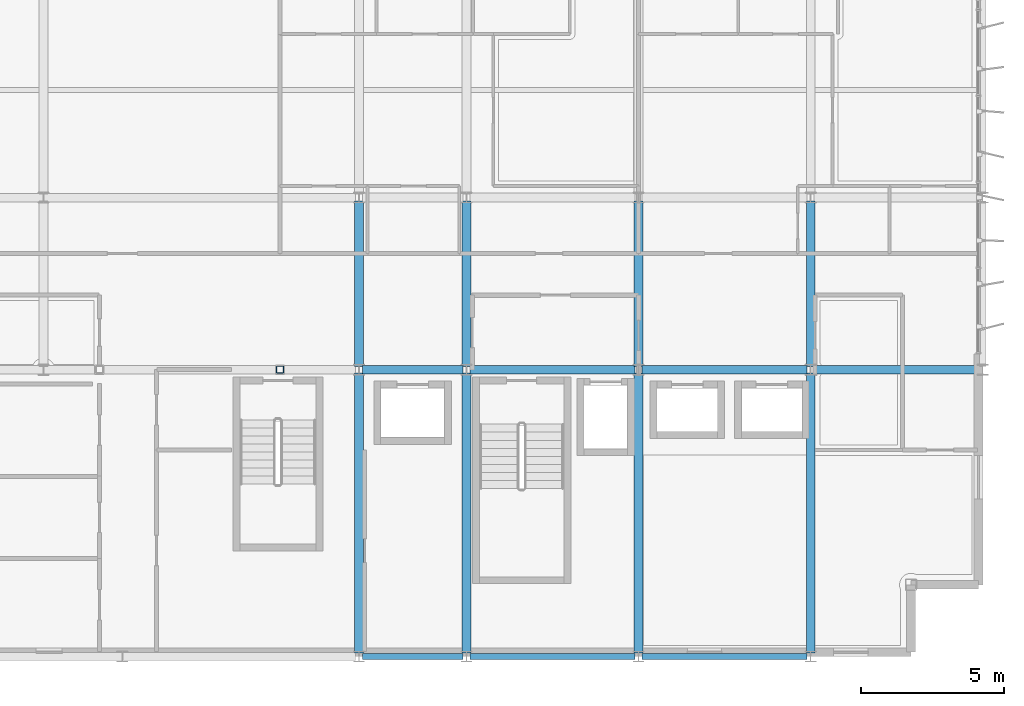
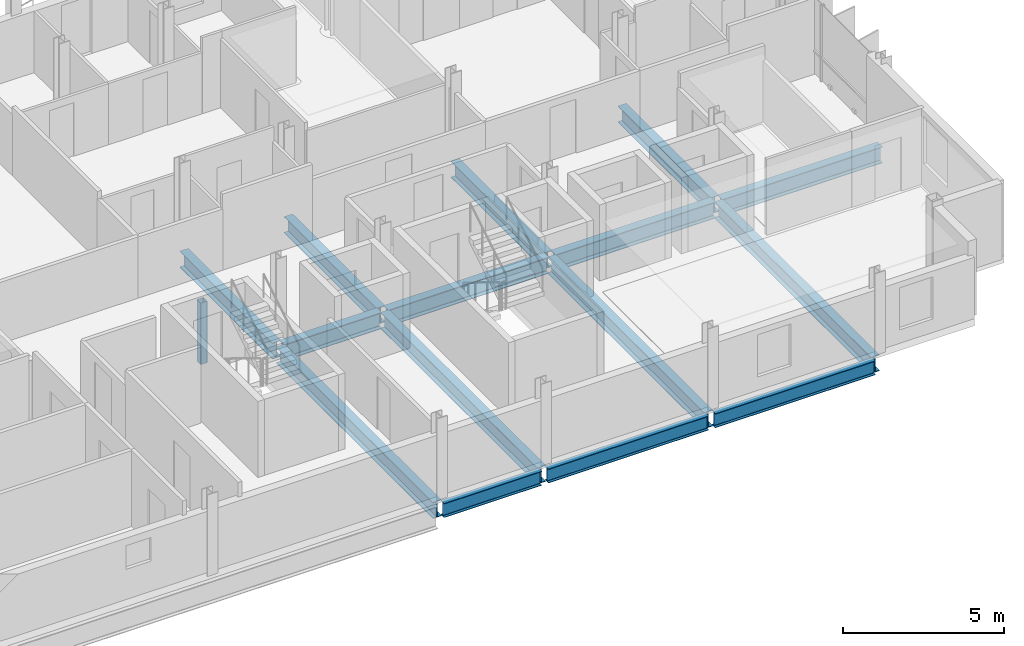
# One storey, part 13 of 35: 15 beams, 1 member.
"""IFC4 building model written with IfcOpenShell, lengths in metres."""

from ifc_helpers import new_model, si_unit, direction, frame, origin, origin_2d, place, context, subcontext, project, spatial, hollow_rectangle, i_section, extrude, material, material_profile, profile_set, type_object, element, save


model = new_model("IFC4")

# Units and contexts
model_context = context("Model", 3, precision=1e-05, world=origin(), true_north=direction((0.0, 1.0)))
body_context = subcontext(model_context, "Body", "Model", "MODEL_VIEW")
ifc_project = project(units=[si_unit("LENGTHUNIT", "METRE"), si_unit("AREAUNIT", "SQUARE_METRE"), si_unit("VOLUMEUNIT", "CUBIC_METRE"), si_unit("PLANEANGLEUNIT", "RADIAN"), si_unit("MASSUNIT", "GRAM", prefix="KILO")], contexts=[model_context])

# Site, building, storey
site_placement = place(None, origin())
site = spatial("IfcSite", under=ifc_project, at=site_placement, CompositionType="ELEMENT")
building_placement = place(site_placement, origin())
building = spatial("IfcBuilding", under=site, at=building_placement, Name="Brevholm Reach", CompositionType="ELEMENT")
storey_placement = place(building_placement, frame((0.0, 0.0, 218.0)))
storey = spatial("IfcBuildingStorey", under=building, at=storey_placement, Name="L66", CompositionType="ELEMENT", Elevation=218.0)

# Beams
ifc_material_1 = material(Name="Structural Steel S355J2", Category="steel")
ifc_material_profile_1 = material_profile(ifc_material_1, i_section(OverallWidth=0.210693359375, OverallDepth=0.53955078125, WebThickness=0.01171875, FlangeThickness=0.018798828125, FilletRadius=0.0126953125, at=origin_2d()), Name="UKB 533x210x109")
ifc_profile_set_1 = profile_set([ifc_material_profile_1], Name="Structural Steel S355J2")
beam_type_1 = type_object("IfcBeamType", Name="BM-SP539", PredefinedType="SPANDREL", material=ifc_profile_set_1)
beam_1_placement = place(storey_placement, frame((38.3701171875, 0.0, -0.539794921875), z_axis=(1.0, 0.0, 0.0), x_axis=(0.0, 1.0, 0.0)))
element("IfcBeam", 1, at=beam_1_placement, inside=storey, type_object=beam_type_1, Name="L66 SP-01B Framing Beam", PredefinedType="SPANDREL", context=body_context, shape_type="SweptSolid", body=[
    extrude(i_section(OverallWidth=0.210693359375, OverallDepth=0.53955078125, WebThickness=0.01171875, FlangeThickness=0.018798828125, FilletRadius=0.0126953125, at=origin_2d()), origin(), (0.0, 0.0, 1.0), 3.509765625),
])
for number, where, z_axis, x_axis, name in (
    (2, (42.1201171875, 0.0, -0.539794921875), (1.0, 0.0, 0.0), (0.0, 1.0, 0.0), "L66 SP-01B Framing Beam"),
    (3, (48.1201171875, 0.0, -0.539794921875), (1.0, 0.0, 0.0), (0.0, 1.0, 0.0), "L66 SP-01B Framing Beam"),
):
    element("IfcBeam", number, at=place(storey_placement, frame(where, z_axis=z_axis, x_axis=x_axis)), inside=storey, type_object=beam_type_1, Name=name, PredefinedType="SPANDREL", context=body_context, shape_type="SweptSolid", body=[
        extrude(i_section(OverallWidth=0.210693359375, OverallDepth=0.53955078125, WebThickness=0.01171875, FlangeThickness=0.018798828125, FilletRadius=0.0126953125, at=origin_2d()), origin(), (0.0, 0.0, 1.0), 5.759765625),
    ])
ifc_material_2 = material(Name="Structural Steel S355J2", Category="steel")
ifc_material_profile_2 = material_profile(ifc_material_2, i_section(OverallWidth=0.30712890625, OverallDepth=0.6201171875, WebThickness=0.01416015625, FlangeThickness=0.023681640625, FilletRadius=0.0166015625, at=origin_2d()), Name="UKB 610x305x179")
ifc_profile_set_2 = profile_set([ifc_material_profile_2], Name="Structural Steel S355J2")
beam_type_2 = type_object("IfcBeamType", Name="BM-UKB610H", PredefinedType="USERDEFINED", material=ifc_profile_set_2)
beam_2_placement = place(storey_placement, frame((38.3701171875, 10.0, -0.580078125), z_axis=(1.0, 0.0, 0.0), x_axis=(0.0, 1.0, 0.0)))
element("IfcBeam", 4, at=beam_2_placement, inside=storey, type_object=beam_type_2, Name="L66 G-06 Framing Beam", ObjectType="GIRDER", PredefinedType="USERDEFINED", context=body_context, shape_type="SweptSolid", body=[
    extrude(i_section(OverallWidth=0.30712890625, OverallDepth=0.6201171875, WebThickness=0.01416015625, FlangeThickness=0.023681640625, FilletRadius=0.0166015625, at=origin_2d()), origin(), (0.0, 0.0, 1.0), 3.509765625),
])
for number, where, z_axis, x_axis, name in (
    (5, (42.1201171875, 10.0, -0.580078125), (1.0, 0.0, 0.0), (0.0, 1.0, 0.0), "L66 G-06 Framing Beam"),
    (6, (48.1201171875, 10.0, -0.580078125), (1.0, 0.0, 0.0), (0.0, 1.0, 0.0), "L66 G-06 Framing Beam"),
    (7, (54.1201171875, 10.0, -0.580078125), (1.0, 0.0, 0.0), (0.0, 1.0, 0.0), "L66 G-06 Framing Beam"),
):
    element("IfcBeam", number, at=place(storey_placement, frame(where, z_axis=z_axis, x_axis=x_axis)), inside=storey, type_object=beam_type_2, Name=name, ObjectType="GIRDER", PredefinedType="USERDEFINED", context=body_context, shape_type="SweptSolid", body=[
        extrude(i_section(OverallWidth=0.30712890625, OverallDepth=0.6201171875, WebThickness=0.01416015625, FlangeThickness=0.023681640625, FilletRadius=0.0166015625, at=origin_2d()), origin(), (0.0, 0.0, 1.0), 5.759765625),
    ])
beam_3_placement = place(storey_placement, frame((38.25, 0.1201171875, -0.580078125), z_axis=(0.0, 1.0, 0.0), x_axis=(-1.0, 0.0, 0.0)))
element("IfcBeam", 8, at=beam_3_placement, inside=storey, type_object=beam_type_2, Name="L66 G-06 Framing Beam", ObjectType="GIRDER", PredefinedType="USERDEFINED", context=body_context, shape_type="SweptSolid", body=[
    extrude(i_section(OverallWidth=0.30712890625, OverallDepth=0.6201171875, WebThickness=0.01416015625, FlangeThickness=0.023681640625, FilletRadius=0.0166015625, at=origin_2d()), origin(), (0.0, 0.0, 1.0), 9.759765625),
])
beam_4_placement = place(storey_placement, frame((38.25, 10.1201171875, -0.580078125), z_axis=(0.0, 1.0, 0.0), x_axis=(-1.0, 0.0, 0.0)))
element("IfcBeam", 9, at=beam_4_placement, inside=storey, type_object=beam_type_2, Name="L66 G-06 Framing Beam", ObjectType="GIRDER", PredefinedType="USERDEFINED", context=body_context, shape_type="SweptSolid", body=[
    extrude(i_section(OverallWidth=0.30712890625, OverallDepth=0.6201171875, WebThickness=0.01416015625, FlangeThickness=0.023681640625, FilletRadius=0.0166015625, at=origin_2d()), origin(), (0.0, 0.0, 1.0), 5.759765625),
])
beam_5_placement = place(storey_placement, frame((42.0, 0.1201171875, -0.580078125), z_axis=(0.0, 1.0, 0.0), x_axis=(-1.0, 0.0, 0.0)))
element("IfcBeam", 10, at=beam_5_placement, inside=storey, type_object=beam_type_2, Name="L66 G-06 Framing Beam", ObjectType="GIRDER", PredefinedType="USERDEFINED", context=body_context, shape_type="SweptSolid", body=[
    extrude(i_section(OverallWidth=0.30712890625, OverallDepth=0.6201171875, WebThickness=0.01416015625, FlangeThickness=0.023681640625, FilletRadius=0.0166015625, at=origin_2d()), origin(), (0.0, 0.0, 1.0), 9.759765625),
])
beam_6_placement = place(storey_placement, frame((42.0, 10.1201171875, -0.580078125), z_axis=(0.0, 1.0, 0.0), x_axis=(-1.0, 0.0, 0.0)))
element("IfcBeam", 11, at=beam_6_placement, inside=storey, type_object=beam_type_2, Name="L66 G-06 Framing Beam", ObjectType="GIRDER", PredefinedType="USERDEFINED", context=body_context, shape_type="SweptSolid", body=[
    extrude(i_section(OverallWidth=0.30712890625, OverallDepth=0.6201171875, WebThickness=0.01416015625, FlangeThickness=0.023681640625, FilletRadius=0.0166015625, at=origin_2d()), origin(), (0.0, 0.0, 1.0), 5.759765625),
])
beam_7_placement = place(storey_placement, frame((48.0, 0.1201171875, -0.580078125), z_axis=(0.0, 1.0, 0.0), x_axis=(-1.0, 0.0, 0.0)))
element("IfcBeam", 12, at=beam_7_placement, inside=storey, type_object=beam_type_2, Name="L66 G-06 Framing Beam", ObjectType="GIRDER", PredefinedType="USERDEFINED", context=body_context, shape_type="SweptSolid", body=[
    extrude(i_section(OverallWidth=0.30712890625, OverallDepth=0.6201171875, WebThickness=0.01416015625, FlangeThickness=0.023681640625, FilletRadius=0.0166015625, at=origin_2d()), origin(), (0.0, 0.0, 1.0), 9.759765625),
])
beam_8_placement = place(storey_placement, frame((48.0, 10.1201171875, -0.580078125), z_axis=(0.0, 1.0, 0.0), x_axis=(-1.0, 0.0, 0.0)))
element("IfcBeam", 13, at=beam_8_placement, inside=storey, type_object=beam_type_2, Name="L66 G-06 Framing Beam", ObjectType="GIRDER", PredefinedType="USERDEFINED", context=body_context, shape_type="SweptSolid", body=[
    extrude(i_section(OverallWidth=0.30712890625, OverallDepth=0.6201171875, WebThickness=0.01416015625, FlangeThickness=0.023681640625, FilletRadius=0.0166015625, at=origin_2d()), origin(), (0.0, 0.0, 1.0), 5.759765625),
])
beam_9_placement = place(storey_placement, frame((54.0, 0.1201171875, -0.580078125), z_axis=(0.0, 1.0, 0.0), x_axis=(-1.0, 0.0, 0.0)))
element("IfcBeam", 14, at=beam_9_placement, inside=storey, type_object=beam_type_2, Name="L66 G-06 Framing Beam", ObjectType="GIRDER", PredefinedType="USERDEFINED", context=body_context, shape_type="SweptSolid", body=[
    extrude(i_section(OverallWidth=0.30712890625, OverallDepth=0.6201171875, WebThickness=0.01416015625, FlangeThickness=0.023681640625, FilletRadius=0.0166015625, at=origin_2d()), origin(), (0.0, 0.0, 1.0), 9.759765625),
])
beam_10_placement = place(storey_placement, frame((54.0, 10.1201171875, -0.580078125), z_axis=(0.0, 1.0, 0.0), x_axis=(-1.0, 0.0, 0.0)))
element("IfcBeam", 15, at=beam_10_placement, inside=storey, type_object=beam_type_2, Name="L66 G-06 Framing Beam", ObjectType="GIRDER", PredefinedType="USERDEFINED", context=body_context, shape_type="SweptSolid", body=[
    extrude(i_section(OverallWidth=0.30712890625, OverallDepth=0.6201171875, WebThickness=0.01416015625, FlangeThickness=0.023681640625, FilletRadius=0.0166015625, at=origin_2d()), origin(), (0.0, 0.0, 1.0), 5.759765625),
])

# Member
ifc_material_3 = material(Name="Structural Steel S355J2H", Category="steel")
ifc_material_profile_3 = material_profile(ifc_material_3, hollow_rectangle(XDim=0.25, YDim=0.25, WallThickness=0.010009765625, InnerFilletRadius=0.010009765625, OuterFilletRadius=0.02001953125, at=origin_2d()), Name="SHS 250x250x10")
ifc_profile_set_3 = profile_set([ifc_material_profile_3], Name="Structural Steel S355J2H")
member_type = type_object("IfcMemberType", Name="MEM-ST-SHS250", PredefinedType="STRUT", material=ifc_profile_set_3)
member_placement = place(storey_placement, frame((35.5, 10.0, 0.0), z_axis=(0.0, 0.0, 1.0), x_axis=(1.0, 0.0, 0.0)))
element("IfcMember", 16, at=member_placement, inside=storey, type_object=member_type, Name="L66 Portal Vierendeel Post 3", PredefinedType="STRUT", context=body_context, shape_type="SweptSolid", body=[
    extrude(hollow_rectangle(XDim=0.25, YDim=0.25, WallThickness=0.010009765625, InnerFilletRadius=0.010009765625, OuterFilletRadius=0.02001953125, at=origin_2d()), origin(), (0.0, 0.0, 1.0), 2.33544921875),
])

save(model, "model.ifc")
